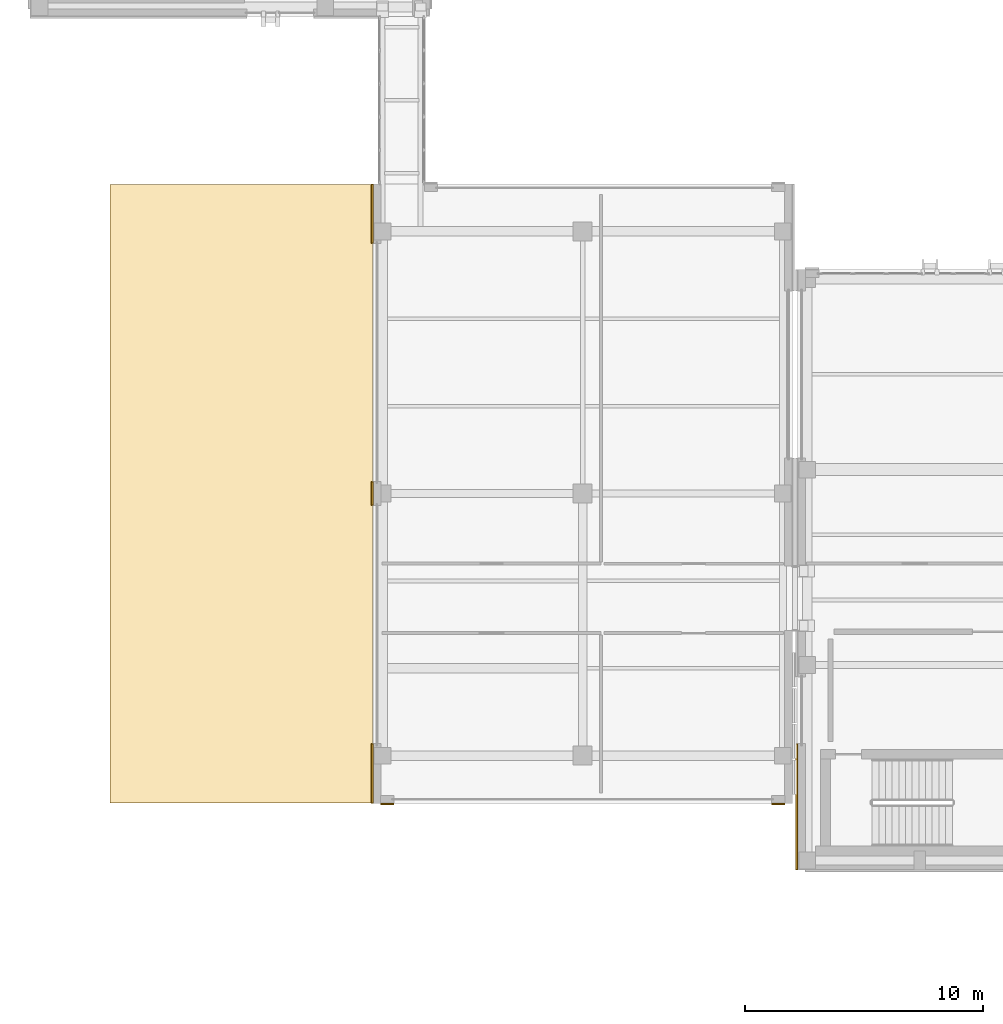
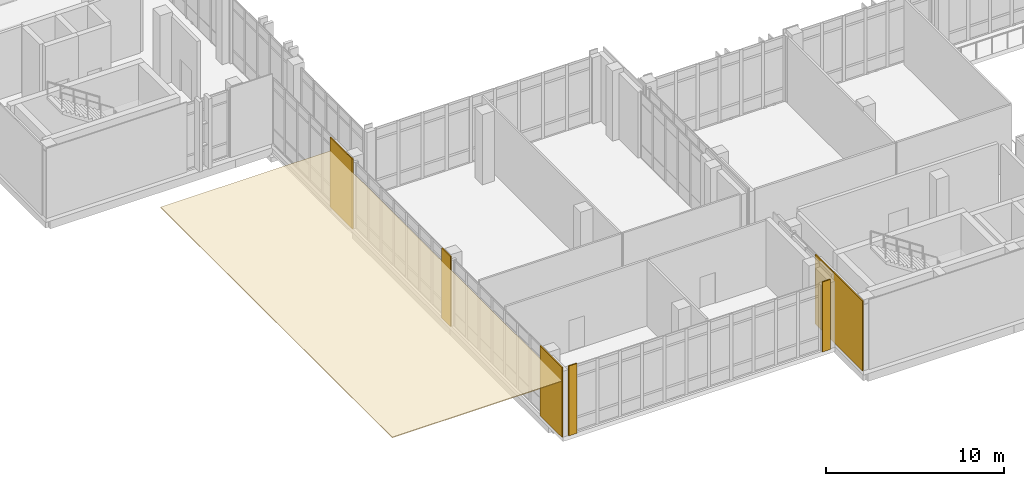
# One storey, part 169 of 189: 7 coverings.
"""IFC4 building model written with IfcOpenShell, lengths in metres."""

from ifc_helpers import new_model, si_unit, direction, frame, origin, origin_2d, place, context, subcontext, project, spatial, polyline, rectangle, outline, extrude, material, layer, layer_set, type_object, element, save


model = new_model("IFC4")

# Units and contexts
model_context = context("Model", 3, precision=1e-05, world=origin(), true_north=direction((0.0, 1.0)))
body_context = subcontext(model_context, "Body", "Model", "MODEL_VIEW")
ifc_project = project(units=[si_unit("LENGTHUNIT", "METRE"), si_unit("AREAUNIT", "SQUARE_METRE"), si_unit("VOLUMEUNIT", "CUBIC_METRE"), si_unit("PLANEANGLEUNIT", "RADIAN"), si_unit("MASSUNIT", "GRAM", prefix="KILO")], contexts=[model_context])

# Site, building, storey
site_placement = place(None, origin())
site = spatial("IfcSite", under=ifc_project, at=site_placement, CompositionType="ELEMENT")
building_placement = place(site_placement, origin())
building = spatial("IfcBuilding", under=site, at=building_placement, Name="Qalavern Law Courts", CompositionType="ELEMENT")
storey_placement = place(building_placement, frame((0.0, 0.0, 5.39990234375)))
storey = spatial("IfcBuildingStorey", under=building, at=storey_placement, Name="L01", CompositionType="ELEMENT", Elevation=5.39990234375)

# Coverings
ifc_material_1 = material(Name="Precast concrete C40/50", Category="concrete")
ifc_layer_1 = layer(ifc_material_1, 0.072021484375)
ifc_layer_set_1 = layer_set([ifc_layer_1], Name="Precast concrete C40/50")
covering_type_1 = type_object("IfcCoveringType", Name="ENV-CLD-2", PredefinedType="CLADDING", material=ifc_layer_set_1)
for number, where, z_axis, x_axis, name in (
    (1, (16.9951171875, 7.967041015625, 0.01025390625), (0.0, 0.0, 1.0), (1.0, 0.0, 0.0), "V1 Absheron limestone pier facing L01 south 1"),
    (2, (33.405029296875, 7.967041015625, 0.01025390625), (0.0, 0.0, 1.0), (1.0, 0.0, 0.0), "V1 Absheron limestone pier facing L01 south 2"),
):
    element("IfcCovering", number, at=place(storey_placement, frame(where, z_axis=z_axis, x_axis=x_axis)), inside=storey, type_object=covering_type_1, Name=name, PredefinedType="CLADDING", context=body_context, shape_type="SweptSolid", body=[
        extrude(rectangle(XDim=0.530029296875, YDim=0.072021484375, at=origin_2d()), origin(), (0.0, 0.0, 1.0), 4.780029296875),
    ])
covering_1_placement = place(storey_placement, frame((16.366943359375, 32.75, 0.01025390625), z_axis=(0.0, 0.0, 1.0), x_axis=(0.0, -1.0, 0.0)))
element("IfcCovering", 3, at=covering_1_placement, inside=storey, type_object=covering_type_1, Name="V1 Absheron limestone pier facing L01 west 1", PredefinedType="CLADDING", context=body_context, shape_type="SweptSolid", body=[
    extrude(rectangle(XDim=2.47998046875, YDim=0.072021484375, at=origin_2d()), origin(), (0.0, 0.0, 1.0), 4.780029296875),
])
covering_2_placement = place(storey_placement, frame((16.366943359375, 21.0, 0.01025390625), z_axis=(0.0, 0.0, 1.0), x_axis=(0.0, -1.0, 0.0)))
element("IfcCovering", 4, at=covering_2_placement, inside=storey, type_object=covering_type_1, Name="V1 Absheron limestone pier facing L01 west 2", PredefinedType="CLADDING", context=body_context, shape_type="SweptSolid", body=[
    extrude(rectangle(XDim=0.97998046875, YDim=0.072021484375, at=origin_2d()), origin(), (0.0, 0.0, 1.0), 4.780029296875),
])
covering_3_placement = place(storey_placement, frame((16.366943359375, 9.25, 0.01025390625), z_axis=(0.0, 0.0, 1.0), x_axis=(0.0, -1.0, 0.0)))
element("IfcCovering", 5, at=covering_3_placement, inside=storey, type_object=covering_type_1, Name="V1 Absheron limestone pier facing L01 west 3", PredefinedType="CLADDING", context=body_context, shape_type="SweptSolid", body=[
    extrude(rectangle(XDim=2.47998046875, YDim=0.072021484375, at=origin_2d()), origin(), (0.0, 0.0, 1.0), 4.780029296875),
])
covering_4_placement = place(storey_placement, frame((34.18701171875, 7.85009765625, 0.01025390625), z_axis=(0.0, 0.0, 1.0), x_axis=(0.0, -1.0, 0.0)))
element("IfcCovering", 6, at=covering_4_placement, inside=storey, type_object=covering_type_1, Name="V2 Absheron limestone pier facing L01 west 2", PredefinedType="CLADDING", context=body_context, shape_type="SweptSolid", body=[
    extrude(rectangle(XDim=5.280029296875, YDim=0.072021484375, at=origin_2d()), origin(), (0.0, 0.0, 1.0), 4.780029296875),
])
ifc_material_2 = material(Name="Slatted warm Absheron oak and acoustic mineral-wool soffit")
ifc_layer_2 = layer(ifc_material_2, 0.055908203125)
ifc_layer_set_2 = layer_set([ifc_layer_2], Name="Slatted warm Absheron oak and acoustic mineral-wool soffit")
covering_type_2 = type_object("IfcCoveringType", Name="ENV-SOFFIT-56", PredefinedType="CEILING", material=ifc_layer_set_2)
covering_5_placement = place(storey_placement, frame((0.0, 0.0, 3.80419921875)))
element("IfcCovering", 7, at=covering_5_placement, inside=storey, type_object=covering_type_2, Name="Cantilevered corner glass foyer warm acoustic soffit", PredefinedType="CEILING", context=body_context, shape_type="SweptSolid", body=[
    extrude(outline(polyline([(5.360107421875, 8.02001953125), (16.3798828125, 8.02001953125), (16.3798828125, 33.97998046875), (5.360107421875, 33.97998046875), (5.360107421875, 8.02001953125)])), origin(), (0.0, 0.0, 1.0), 0.055908203125),
])

save(model, "model.ifc")
